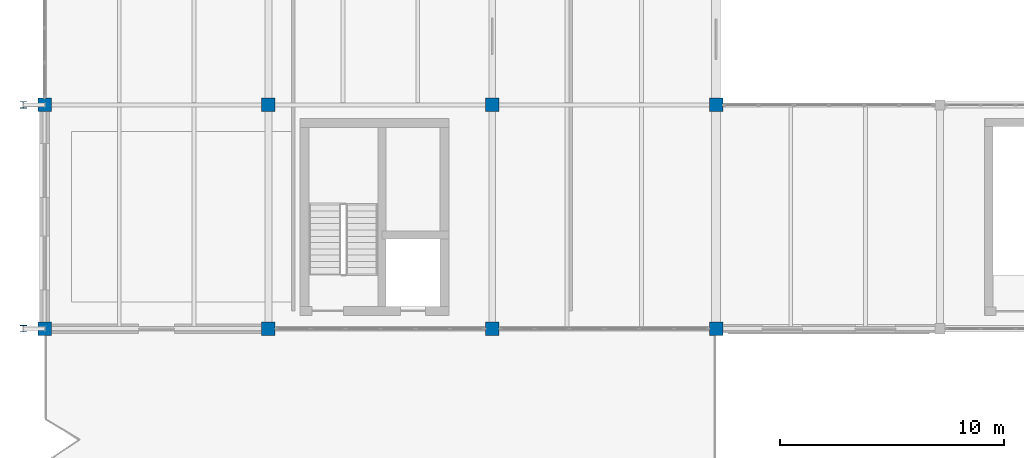
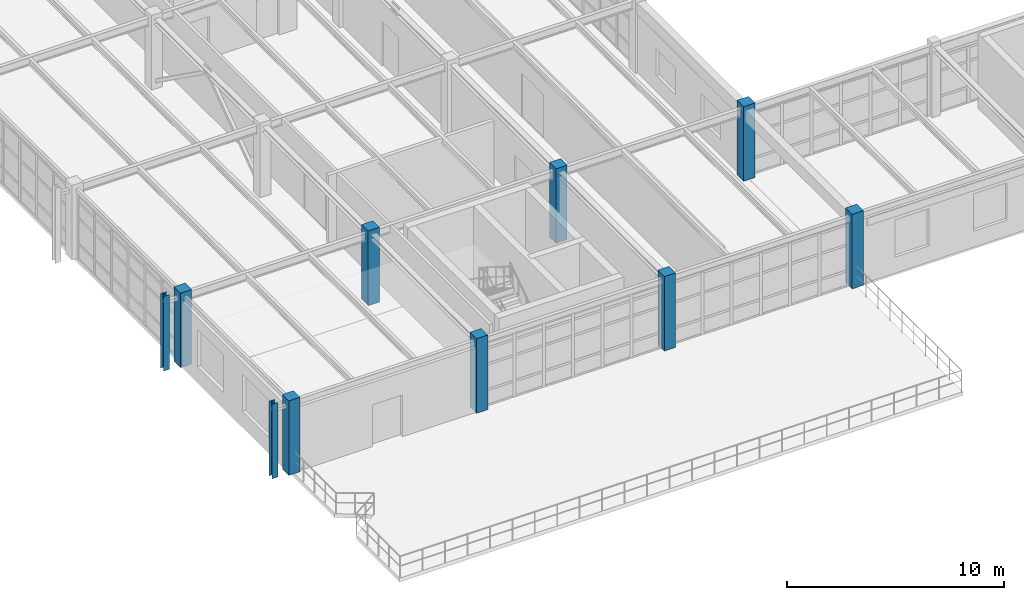
# One storey, part 1 of 122: 10 columns.
"""IFC4 building model written with IfcOpenShell, lengths in metres."""

from ifc_helpers import new_model, si_unit, direction, frame, origin, origin_2d, place, context, subcontext, project, spatial, rectangle, i_section, extrude, material, material_profile, profile_set, type_object, element, save


model = new_model("IFC4")

# Units and contexts
model_context = context("Model", 3, precision=1e-05, world=origin(), true_north=direction((0.0, 1.0)))
body_context = subcontext(model_context, "Body", "Model", "MODEL_VIEW")
ifc_project = project(units=[si_unit("LENGTHUNIT", "METRE"), si_unit("AREAUNIT", "SQUARE_METRE"), si_unit("VOLUMEUNIT", "CUBIC_METRE"), si_unit("PLANEANGLEUNIT", "RADIAN"), si_unit("MASSUNIT", "GRAM", prefix="KILO"), si_unit("THERMODYNAMICTEMPERATUREUNIT", "KELVIN"), si_unit("POWERUNIT", "WATT")], contexts=[model_context])

# Site, building, storey
site_placement = place(None, origin())
site = spatial("IfcSite", under=ifc_project, at=site_placement, CompositionType="ELEMENT")
building_placement = place(site_placement, origin())
building = spatial("IfcBuilding", under=site, at=building_placement, Name="Korenveer Ferry Terminal", CompositionType="ELEMENT")
storey_placement = place(building_placement, frame((0.0, 0.0, 10.199951171875)))
storey = spatial("IfcBuildingStorey", under=building, at=storey_placement, Name="L02", CompositionType="ELEMENT", Elevation=10.199951171875)

# Columns
ifc_material_1 = material(Name="Concrete C45/55", Category="concrete")
ifc_material_profile_1 = material_profile(ifc_material_1, rectangle(XDim=0.60009765625, YDim=0.60009765625, at=origin_2d()), Name="RC 600x600")
ifc_profile_set_1 = profile_set([ifc_material_profile_1], Name="Concrete C45/55")
column_type_1 = type_object("IfcColumnType", Name="STR-COL-RC600", PredefinedType="COLUMN", material=ifc_profile_set_1)
for number, where, z_axis, x_axis, name in (
    (1, (0.0, 20.0, 0.0), (0.0, 0.0, 1.0), (1.0, 0.0, 0.0), "Column COL-L02-X0-Y20"),
    (2, (0.0, 30.0, 0.0), (0.0, 0.0, 1.0), (1.0, 0.0, 0.0), "Column COL-L02-X0-Y30"),
    (3, (10.0, 20.0, 0.0), (0.0, 0.0, 1.0), (1.0, 0.0, 0.0), "Column COL-L02-X10-Y20"),
    (4, (10.0, 30.0, 0.0), (0.0, 0.0, 1.0), (1.0, 0.0, 0.0), "Column COL-L02-X10-Y30"),
    (5, (20.0, 20.0, 0.0), (0.0, 0.0, 1.0), (1.0, 0.0, 0.0), "Column COL-L02-X20-Y20"),
    (6, (20.0, 30.0, 0.0), (0.0, 0.0, 1.0), (1.0, 0.0, 0.0), "Column COL-L02-X20-Y30"),
    (7, (30.0, 20.0, 0.0), (0.0, 0.0, 1.0), (1.0, 0.0, 0.0), "Column COL-L02-X30-Y20"),
    (8, (30.0, 30.0, 0.0), (0.0, 0.0, 1.0), (1.0, 0.0, 0.0), "Column COL-L02-X30-Y30"),
):
    element("IfcColumn", number, at=place(storey_placement, frame(where, z_axis=z_axis, x_axis=x_axis)), inside=storey, type_object=column_type_1, Name=name, PredefinedType="COLUMN", context=body_context, shape_type="SweptSolid", body=[
        extrude(rectangle(XDim=0.60009765625, YDim=0.60009765625, at=origin_2d()), origin(), (0.0, 0.0, 1.0), 4.199951171875),
    ])
ifc_material_2 = material(Name="Steel S355", Category="steel")
ifc_material_profile_2 = material_profile(ifc_material_2, i_section(OverallWidth=0.300048828125, OverallDepth=0.2900390625, WebThickness=0.008544921875, FlangeThickness=0.013916015625, FilletRadius=0.027099609375, at=origin_2d()), Name="HEA 300")
ifc_profile_set_2 = profile_set([ifc_material_profile_2], Name="Steel S355")
column_type_2 = type_object("IfcColumnType", Name="STR-PIL-BRICK450", PredefinedType="PILASTER", material=ifc_profile_set_2)
for number, where, z_axis, x_axis, name in (
    (9, (-0.949951171875, 20.0, 0.0), (0.0, 0.0, 1.0), (1.0, 0.0, 0.0), "Buttress pilaster 3"),
    (10, (-0.949951171875, 30.0, 0.0), (0.0, 0.0, 1.0), (1.0, 0.0, 0.0), "Buttress pilaster 6"),
):
    element("IfcColumn", number, at=place(storey_placement, frame(where, z_axis=z_axis, x_axis=x_axis)), inside=storey, type_object=column_type_2, Name=name, PredefinedType="PILASTER", context=body_context, shape_type="SweptSolid", body=[
        extrude(i_section(OverallWidth=0.300048828125, OverallDepth=0.2900390625, WebThickness=0.008544921875, FlangeThickness=0.013916015625, FilletRadius=0.027099609375, at=origin_2d()), origin(), (0.0, 0.0, 1.0), 4.199951171875),
    ])

save(model, "model.ifc")
